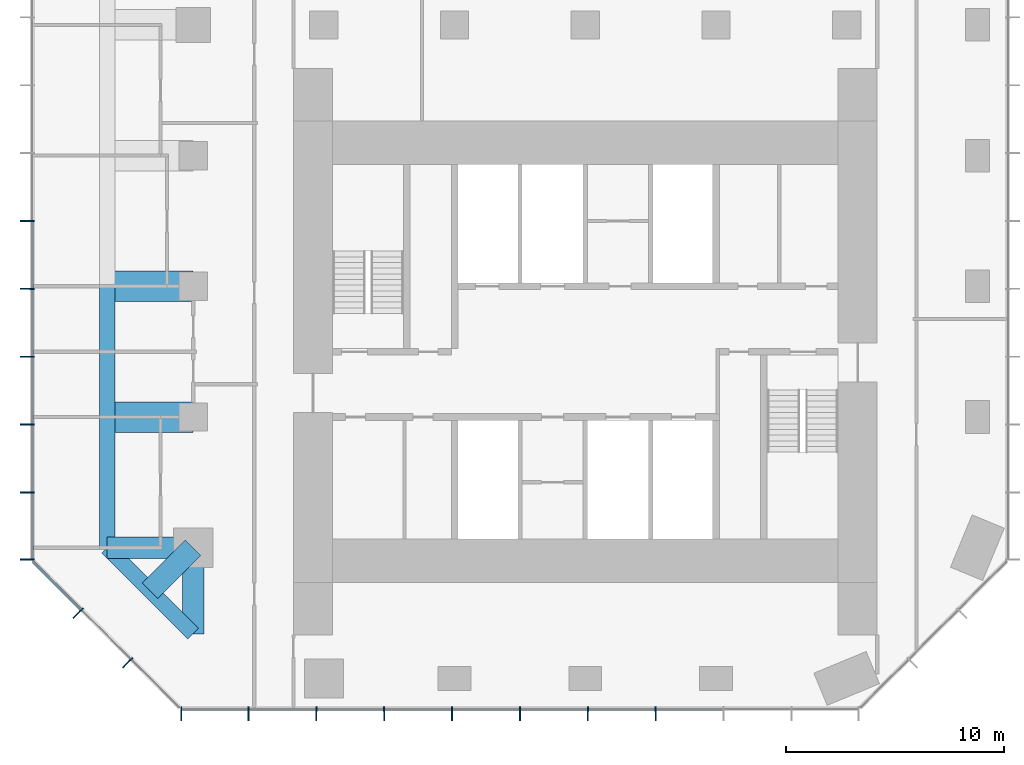
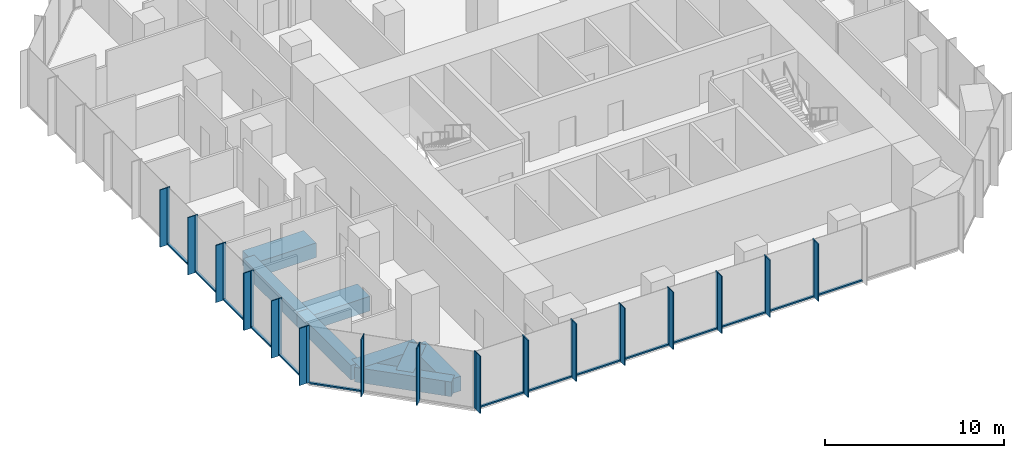
# One storey, part 2 of 11: 46 members, 8 beams, 3 elements without a shape of their own.
"""IFC4 building model written with IfcOpenShell, lengths in metres."""

from ifc_helpers import new_model, si_unit, direction, frame, origin, origin_2d, place, context, subcontext, project, spatial, rectangle, extrude, material, layer, layer_set, material_profile, profile_set, type_object, element, aggregate, save


model = new_model("IFC4")

# Units and contexts
model_context = context("Model", 3, precision=1e-05, world=origin(), true_north=direction((0.0, 1.0)))
body_context = subcontext(model_context, "Body", "Model", "MODEL_VIEW")
ifc_project = project(units=[si_unit("LENGTHUNIT", "METRE"), si_unit("AREAUNIT", "SQUARE_METRE"), si_unit("VOLUMEUNIT", "CUBIC_METRE"), si_unit("PLANEANGLEUNIT", "RADIAN"), si_unit("MASSUNIT", "GRAM", prefix="KILO")], contexts=[model_context])

# Site, building, storey
site_placement = place(None, origin())
site = spatial("IfcSite", under=ifc_project, at=site_placement, CompositionType="ELEMENT")
building_placement = place(site_placement, origin())
building = spatial("IfcBuilding", under=site, at=building_placement, Name="Highveld Stack Headquarters", CompositionType="ELEMENT")
storey_placement = place(building_placement, frame((0.0, 0.0, 200.60009765625)))
storey = spatial("IfcBuildingStorey", under=building, at=storey_placement, Name="L49", CompositionType="ELEMENT", Elevation=200.60009765625)

# Beams
ifc_material_1 = material(Name="Concrete C60/75", Category="concrete")
ifc_material_profile_1 = material_profile(ifc_material_1, rectangle(XDim=1.0, YDim=1.0, at=origin_2d()), Name="RC 1000x1000")
ifc_profile_set_1 = profile_set([ifc_material_profile_1], Name="Concrete C60/75")
beam_type_1 = type_object("IfcBeamType", Name="CANTILEVER RIB RC 1000x1000", PredefinedType="USERDEFINED", material=ifc_profile_set_1)
for number, where, z_axis, x_axis, name in (
    (1, (-12.0, -6.0, -0.75), (-1.0, 0.0, 0.0), (0.0, -1.0, 0.0), "Cantilever rib 4/D L49"),
    (2, (-12.0, -6.0, -0.75), (0.0, -1.0, 0.0), (1.0, 0.0, 0.0), "Cantilever rib 4/D L49"),
):
    element("IfcBeam", number, at=place(storey_placement, frame(where, z_axis=z_axis, x_axis=x_axis)), inside=storey, type_object=beam_type_1, Name=name, ObjectType="CANTILEVER RIB", PredefinedType="USERDEFINED", context=body_context, shape_type="SweptSolid", body=[
        extrude(rectangle(XDim=1.0, YDim=1.0, at=origin_2d()), origin(), (0.0, 0.0, 1.0), 3.949951171875),
    ])
beam_1_placement = place(storey_placement, frame((-12.0, -6.0, -0.75), z_axis=(-0.707106781187, -0.707106781187, 0.0), x_axis=(0.707106781187, -0.707106781187, 0.0)))
element("IfcBeam", 3, at=beam_1_placement, inside=storey, type_object=beam_type_1, Name="Cantilever rib 4/D L49", ObjectType="CANTILEVER RIB", PredefinedType="USERDEFINED", context=body_context, shape_type="SweptSolid", body=[
    extrude(rectangle(XDim=1.0, YDim=1.0, at=origin_2d()), origin(), (0.0, 0.0, 1.0), 2.793212890625),
])
ifc_material_2 = material(Name="Concrete C60/75", Category="concrete")
ifc_material_profile_2 = material_profile(ifc_material_2, rectangle(XDim=1.39990234375, YDim=1.0, at=origin_2d()), Name="RC 1400x1000")
ifc_profile_set_2 = profile_set([ifc_material_profile_2], Name="Concrete C60/75")
beam_type_2 = type_object("IfcBeamType", Name="CANTILEVER RIB RC 1400x1000", PredefinedType="USERDEFINED", material=ifc_profile_set_2)
for number, where, z_axis, x_axis, name in (
    (4, (-12.0, 0.0, -0.75), (-1.0, 0.0, 0.0), (0.0, -1.0, 0.0), "Cantilever rib 4/E L49"),
    (5, (-12.0, 6.0, -0.75), (-1.0, 0.0, 0.0), (0.0, -1.0, 0.0), "Cantilever rib 4/F L49"),
):
    element("IfcBeam", number, at=place(storey_placement, frame(where, z_axis=z_axis, x_axis=x_axis)), inside=storey, type_object=beam_type_2, Name=name, ObjectType="CANTILEVER RIB", PredefinedType="USERDEFINED", context=body_context, shape_type="SweptSolid", body=[
        extrude(rectangle(XDim=1.39990234375, YDim=1.0, at=origin_2d()), origin(), (0.0, 0.0, 1.0), 3.949951171875),
    ])

# Curtain wall, members
ifc_material_3 = material(Name="Aluminium bronze anodised", Category="aluminium")
ifc_layer_1 = layer(ifc_material_3, 0.199951171875)
ifc_layer_set_1 = layer_set([ifc_layer_1], Name="Aluminium bronze anodised")
curtain_wall_type_1 = type_object("IfcCurtainWallType", Name="CW1 TOWER UNITISED CURTAIN WALL", PredefinedType="NOTDEFINED", material=ifc_layer_set_1)
curtain_wall_1_placement = place(storey_placement, origin())
curtain_wall_1 = element("IfcCurtainWall", 6, at=curtain_wall_1_placement, inside=storey, type_object=curtain_wall_type_1, Name="Curtain wall CW1 L49 S", PredefinedType="NOTDEFINED")
ifc_material_4 = material(Name="Aluminium bronze anodised", Category="aluminium")
ifc_material_profile_3 = material_profile(ifc_material_4, rectangle(XDim=0.449951171875, YDim=0.06005859375, at=origin_2d()), Name="FIN 450x60")
ifc_profile_set_3 = profile_set([ifc_material_profile_3], Name="Aluminium bronze anodised")
member_type_1 = type_object("IfcMemberType", Name="CW1 BRONZE FIN 450x60", PredefinedType="USERDEFINED", material=ifc_profile_set_3)
member_1_placement = place(storey_placement, frame((-12.54736328125, -13.72509765625, 0.0), z_axis=(0.0, 0.0, 1.0), x_axis=(0.0, 1.0, 0.0)))
member_1 = element("IfcMember", 7, at=member_1_placement, type_object=member_type_1, Name="CW1 fin L49 1", ObjectType="FIN", PredefinedType="USERDEFINED", context=body_context, shape_type="SweptSolid", body=[
    extrude(rectangle(XDim=0.449951171875, YDim=0.06005859375, at=origin_2d()), origin(), (0.0, 0.0, 1.0), 3.89990234375),
])
member_2_placement = place(storey_placement, frame((-9.4638671875, -13.72509765625, 0.0), z_axis=(0.0, 0.0, 1.0), x_axis=(0.0, 1.0, 0.0)))
member_2 = element("IfcMember", 8, at=member_2_placement, type_object=member_type_1, Name="CW1 fin L49 2", ObjectType="FIN", PredefinedType="USERDEFINED", context=body_context, shape_type="SweptSolid", body=[
    extrude(rectangle(XDim=0.449951171875, YDim=0.06005859375, at=origin_2d()), origin(), (0.0, 0.0, 1.0), 3.89990234375),
])
member_3_placement = place(storey_placement, frame((-6.347900390625, -13.72509765625, 0.0), z_axis=(0.0, 0.0, 1.0), x_axis=(0.0, 1.0, 0.0)))
member_3 = element("IfcMember", 9, at=member_3_placement, type_object=member_type_1, Name="CW1 fin L49 3", ObjectType="FIN", PredefinedType="USERDEFINED", context=body_context, shape_type="SweptSolid", body=[
    extrude(rectangle(XDim=0.449951171875, YDim=0.06005859375, at=origin_2d()), origin(), (0.0, 0.0, 1.0), 3.89990234375),
])
member_4_placement = place(storey_placement, frame((-3.23193359375, -13.72509765625, 0.0), z_axis=(0.0, 0.0, 1.0), x_axis=(0.0, 1.0, 0.0)))
member_4 = element("IfcMember", 10, at=member_4_placement, type_object=member_type_1, Name="CW1 fin L49 4", ObjectType="FIN", PredefinedType="USERDEFINED", context=body_context, shape_type="SweptSolid", body=[
    extrude(rectangle(XDim=0.449951171875, YDim=0.06005859375, at=origin_2d()), origin(), (0.0, 0.0, 1.0), 3.89990234375),
])
member_5_placement = place(storey_placement, frame((-0.115966796875, -13.72509765625, 0.0), z_axis=(0.0, 0.0, 1.0), x_axis=(0.0, 1.0, 0.0)))
member_5 = element("IfcMember", 11, at=member_5_placement, type_object=member_type_1, Name="CW1 fin L49 5", ObjectType="FIN", PredefinedType="USERDEFINED", context=body_context, shape_type="SweptSolid", body=[
    extrude(rectangle(XDim=0.449951171875, YDim=0.06005859375, at=origin_2d()), origin(), (0.0, 0.0, 1.0), 3.89990234375),
])
member_6_placement = place(storey_placement, frame((3.0, -13.72509765625, 0.0), z_axis=(0.0, 0.0, 1.0), x_axis=(0.0, 1.0, 0.0)))
member_6 = element("IfcMember", 12, at=member_6_placement, type_object=member_type_1, Name="CW1 fin L49 6", ObjectType="FIN", PredefinedType="USERDEFINED", context=body_context, shape_type="SweptSolid", body=[
    extrude(rectangle(XDim=0.449951171875, YDim=0.06005859375, at=origin_2d()), origin(), (0.0, 0.0, 1.0), 3.89990234375),
])
member_7_placement = place(storey_placement, frame((6.115966796875, -13.72509765625, 0.0), z_axis=(0.0, 0.0, 1.0), x_axis=(0.0, 1.0, 0.0)))
member_7 = element("IfcMember", 13, at=member_7_placement, type_object=member_type_1, Name="CW1 fin L49 7", ObjectType="FIN", PredefinedType="USERDEFINED", context=body_context, shape_type="SweptSolid", body=[
    extrude(rectangle(XDim=0.449951171875, YDim=0.06005859375, at=origin_2d()), origin(), (0.0, 0.0, 1.0), 3.89990234375),
])
member_8_placement = place(storey_placement, frame((9.23193359375, -13.72509765625, 0.0), z_axis=(0.0, 0.0, 1.0), x_axis=(0.0, 1.0, 0.0)))
member_8 = element("IfcMember", 14, at=member_8_placement, type_object=member_type_1, Name="CW1 fin L49 8", ObjectType="FIN", PredefinedType="USERDEFINED", context=body_context, shape_type="SweptSolid", body=[
    extrude(rectangle(XDim=0.449951171875, YDim=0.06005859375, at=origin_2d()), origin(), (0.0, 0.0, 1.0), 3.89990234375),
])

curtain_wall_2_placement = place(storey_placement, origin())
curtain_wall_2 = element("IfcCurtainWall", 15, at=curtain_wall_2_placement, inside=storey, type_object=curtain_wall_type_1, Name="Curtain wall CW1 L49 W", PredefinedType="NOTDEFINED")
member_9_placement = place(storey_placement, frame((-19.72509765625, 9.0, 0.0), z_axis=(0.0, 0.0, 1.0), x_axis=(1.0, 0.0, 0.0)))
member_9 = element("IfcMember", 16, at=member_9_placement, type_object=member_type_1, Name="CW1 fin L49 6", ObjectType="FIN", PredefinedType="USERDEFINED", context=body_context, shape_type="SweptSolid", body=[
    extrude(rectangle(XDim=0.449951171875, YDim=0.06005859375, at=origin_2d()), origin(), (0.0, 0.0, 1.0), 3.89990234375),
])
member_10_placement = place(storey_placement, frame((-19.72509765625, 5.884033203125, 0.0), z_axis=(0.0, 0.0, 1.0), x_axis=(1.0, 0.0, 0.0)))
member_10 = element("IfcMember", 17, at=member_10_placement, type_object=member_type_1, Name="CW1 fin L49 7", ObjectType="FIN", PredefinedType="USERDEFINED", context=body_context, shape_type="SweptSolid", body=[
    extrude(rectangle(XDim=0.449951171875, YDim=0.06005859375, at=origin_2d()), origin(), (0.0, 0.0, 1.0), 3.89990234375),
])
member_11_placement = place(storey_placement, frame((-19.72509765625, 2.76806640625, 0.0), z_axis=(0.0, 0.0, 1.0), x_axis=(1.0, 0.0, 0.0)))
member_11 = element("IfcMember", 18, at=member_11_placement, type_object=member_type_1, Name="CW1 fin L49 8", ObjectType="FIN", PredefinedType="USERDEFINED", context=body_context, shape_type="SweptSolid", body=[
    extrude(rectangle(XDim=0.449951171875, YDim=0.06005859375, at=origin_2d()), origin(), (0.0, 0.0, 1.0), 3.89990234375),
])
member_12_placement = place(storey_placement, frame((-19.72509765625, -0.347900390625, 0.0), z_axis=(0.0, 0.0, 1.0), x_axis=(1.0, 0.0, 0.0)))
member_12 = element("IfcMember", 19, at=member_12_placement, type_object=member_type_1, Name="CW1 fin L49 9", ObjectType="FIN", PredefinedType="USERDEFINED", context=body_context, shape_type="SweptSolid", body=[
    extrude(rectangle(XDim=0.449951171875, YDim=0.06005859375, at=origin_2d()), origin(), (0.0, 0.0, 1.0), 3.89990234375),
])
member_13_placement = place(storey_placement, frame((-19.72509765625, -3.4638671875, 0.0), z_axis=(0.0, 0.0, 1.0), x_axis=(1.0, 0.0, 0.0)))
member_13 = element("IfcMember", 20, at=member_13_placement, type_object=member_type_1, Name="CW1 fin L49 10", ObjectType="FIN", PredefinedType="USERDEFINED", context=body_context, shape_type="SweptSolid", body=[
    extrude(rectangle(XDim=0.449951171875, YDim=0.06005859375, at=origin_2d()), origin(), (0.0, 0.0, 1.0), 3.89990234375),
])
member_14_placement = place(storey_placement, frame((-19.72509765625, -6.54736328125, 0.0), z_axis=(0.0, 0.0, 1.0), x_axis=(1.0, 0.0, 0.0)))
member_14 = element("IfcMember", 21, at=member_14_placement, type_object=member_type_1, Name="CW1 fin L49 11", ObjectType="FIN", PredefinedType="USERDEFINED", context=body_context, shape_type="SweptSolid", body=[
    extrude(rectangle(XDim=0.449951171875, YDim=0.06005859375, at=origin_2d()), origin(), (0.0, 0.0, 1.0), 3.89990234375),
])

# Member
ifc_material_5 = material(Name="Aluminium bronze anodised", Category="aluminium")
ifc_material_profile_4 = material_profile(ifc_material_5, rectangle(XDim=0.199951171875, YDim=0.06494140625, at=origin_2d()), Name="CW1 MULLION 65x200")
ifc_profile_set_4 = profile_set([ifc_material_profile_4], Name="Aluminium bronze anodised")
member_type_2 = type_object("IfcMemberType", Name="CW1 MULLION 65x200", PredefinedType="MULLION", material=ifc_profile_set_4)
member_15_placement = place(storey_placement, frame((-12.54736328125, -13.39990234375, 0.0), z_axis=(0.0, 0.0, 1.0), x_axis=(0.0, 1.0, 0.0)))
member_15 = element("IfcMember", 22, at=member_15_placement, type_object=member_type_2, Name="CW1 mullion L49 1", PredefinedType="MULLION", context=body_context, shape_type="SweptSolid", body=[
    extrude(rectangle(XDim=0.199951171875, YDim=0.06494140625, at=origin_2d()), origin(), (0.0, 0.0, 1.0), 3.89990234375),
])

member_16_placement = place(storey_placement, frame((-9.4638671875, -13.39990234375, 0.0), z_axis=(0.0, 0.0, 1.0), x_axis=(0.0, 1.0, 0.0)))
member_16 = element("IfcMember", 23, at=member_16_placement, type_object=member_type_2, Name="CW1 mullion L49 2", PredefinedType="MULLION", context=body_context, shape_type="SweptSolid", body=[
    extrude(rectangle(XDim=0.199951171875, YDim=0.06494140625, at=origin_2d()), origin(), (0.0, 0.0, 1.0), 3.89990234375),
])

member_17_placement = place(storey_placement, frame((-6.347900390625, -13.39990234375, 0.0), z_axis=(0.0, 0.0, 1.0), x_axis=(0.0, 1.0, 0.0)))
member_17 = element("IfcMember", 24, at=member_17_placement, type_object=member_type_2, Name="CW1 mullion L49 3", PredefinedType="MULLION", context=body_context, shape_type="SweptSolid", body=[
    extrude(rectangle(XDim=0.199951171875, YDim=0.06494140625, at=origin_2d()), origin(), (0.0, 0.0, 1.0), 3.89990234375),
])

member_18_placement = place(storey_placement, frame((-3.23193359375, -13.39990234375, 0.0), z_axis=(0.0, 0.0, 1.0), x_axis=(0.0, 1.0, 0.0)))
member_18 = element("IfcMember", 25, at=member_18_placement, type_object=member_type_2, Name="CW1 mullion L49 4", PredefinedType="MULLION", context=body_context, shape_type="SweptSolid", body=[
    extrude(rectangle(XDim=0.199951171875, YDim=0.06494140625, at=origin_2d()), origin(), (0.0, 0.0, 1.0), 3.89990234375),
])

member_19_placement = place(storey_placement, frame((-0.115966796875, -13.39990234375, 0.0), z_axis=(0.0, 0.0, 1.0), x_axis=(0.0, 1.0, 0.0)))
member_19 = element("IfcMember", 26, at=member_19_placement, type_object=member_type_2, Name="CW1 mullion L49 5", PredefinedType="MULLION", context=body_context, shape_type="SweptSolid", body=[
    extrude(rectangle(XDim=0.199951171875, YDim=0.06494140625, at=origin_2d()), origin(), (0.0, 0.0, 1.0), 3.89990234375),
])

member_20_placement = place(storey_placement, frame((3.0, -13.39990234375, 0.0), z_axis=(0.0, 0.0, 1.0), x_axis=(0.0, 1.0, 0.0)))
member_20 = element("IfcMember", 27, at=member_20_placement, type_object=member_type_2, Name="CW1 mullion L49 6", PredefinedType="MULLION", context=body_context, shape_type="SweptSolid", body=[
    extrude(rectangle(XDim=0.199951171875, YDim=0.06494140625, at=origin_2d()), origin(), (0.0, 0.0, 1.0), 3.89990234375),
])

member_21_placement = place(storey_placement, frame((6.115966796875, -13.39990234375, 0.0), z_axis=(0.0, 0.0, 1.0), x_axis=(0.0, 1.0, 0.0)))
member_21 = element("IfcMember", 28, at=member_21_placement, type_object=member_type_2, Name="CW1 mullion L49 7", PredefinedType="MULLION", context=body_context, shape_type="SweptSolid", body=[
    extrude(rectangle(XDim=0.199951171875, YDim=0.06494140625, at=origin_2d()), origin(), (0.0, 0.0, 1.0), 3.89990234375),
])

member_22_placement = place(storey_placement, frame((9.23193359375, -13.39990234375, 0.0), z_axis=(0.0, 0.0, 1.0), x_axis=(0.0, 1.0, 0.0)))
member_22 = element("IfcMember", 29, at=member_22_placement, type_object=member_type_2, Name="CW1 mullion L49 8", PredefinedType="MULLION", context=body_context, shape_type="SweptSolid", body=[
    extrude(rectangle(XDim=0.199951171875, YDim=0.06494140625, at=origin_2d()), origin(), (0.0, 0.0, 1.0), 3.89990234375),
])

member_23_placement = place(storey_placement, frame((-19.39990234375, 9.0, 0.0), z_axis=(0.0, 0.0, 1.0), x_axis=(1.0, 0.0, 0.0)))
member_23 = element("IfcMember", 30, at=member_23_placement, type_object=member_type_2, Name="CW1 mullion L49 6", PredefinedType="MULLION", context=body_context, shape_type="SweptSolid", body=[
    extrude(rectangle(XDim=0.199951171875, YDim=0.06494140625, at=origin_2d()), origin(), (0.0, 0.0, 1.0), 3.89990234375),
])

member_24_placement = place(storey_placement, frame((-19.39990234375, 5.884033203125, 0.0), z_axis=(0.0, 0.0, 1.0), x_axis=(1.0, 0.0, 0.0)))
member_24 = element("IfcMember", 31, at=member_24_placement, type_object=member_type_2, Name="CW1 mullion L49 7", PredefinedType="MULLION", context=body_context, shape_type="SweptSolid", body=[
    extrude(rectangle(XDim=0.199951171875, YDim=0.06494140625, at=origin_2d()), origin(), (0.0, 0.0, 1.0), 3.89990234375),
])

member_25_placement = place(storey_placement, frame((-19.39990234375, 2.76806640625, 0.0), z_axis=(0.0, 0.0, 1.0), x_axis=(1.0, 0.0, 0.0)))
member_25 = element("IfcMember", 32, at=member_25_placement, type_object=member_type_2, Name="CW1 mullion L49 8", PredefinedType="MULLION", context=body_context, shape_type="SweptSolid", body=[
    extrude(rectangle(XDim=0.199951171875, YDim=0.06494140625, at=origin_2d()), origin(), (0.0, 0.0, 1.0), 3.89990234375),
])

member_26_placement = place(storey_placement, frame((-19.39990234375, -0.347900390625, 0.0), z_axis=(0.0, 0.0, 1.0), x_axis=(1.0, 0.0, 0.0)))
member_26 = element("IfcMember", 33, at=member_26_placement, type_object=member_type_2, Name="CW1 mullion L49 9", PredefinedType="MULLION", context=body_context, shape_type="SweptSolid", body=[
    extrude(rectangle(XDim=0.199951171875, YDim=0.06494140625, at=origin_2d()), origin(), (0.0, 0.0, 1.0), 3.89990234375),
])

member_27_placement = place(storey_placement, frame((-19.39990234375, -3.4638671875, 0.0), z_axis=(0.0, 0.0, 1.0), x_axis=(1.0, 0.0, 0.0)))
member_27 = element("IfcMember", 34, at=member_27_placement, type_object=member_type_2, Name="CW1 mullion L49 10", PredefinedType="MULLION", context=body_context, shape_type="SweptSolid", body=[
    extrude(rectangle(XDim=0.199951171875, YDim=0.06494140625, at=origin_2d()), origin(), (0.0, 0.0, 1.0), 3.89990234375),
])

member_28_placement = place(storey_placement, frame((-19.39990234375, -6.54736328125, 0.0), z_axis=(0.0, 0.0, 1.0), x_axis=(1.0, 0.0, 0.0)))
member_28 = element("IfcMember", 35, at=member_28_placement, type_object=member_type_2, Name="CW1 mullion L49 11", PredefinedType="MULLION", context=body_context, shape_type="SweptSolid", body=[
    extrude(rectangle(XDim=0.199951171875, YDim=0.06494140625, at=origin_2d()), origin(), (0.0, 0.0, 1.0), 3.89990234375),
])

ifc_material_6 = material(Name="Aluminium bronze anodised", Category="aluminium")
ifc_material_profile_5 = material_profile(ifc_material_6, rectangle(XDim=0.14990234375, YDim=0.10009765625, at=origin_2d()), Name="CW1 TRANSOM 150x100")
ifc_profile_set_5 = profile_set([ifc_material_profile_5], Name="Aluminium bronze anodised")
member_type_3 = type_object("IfcMemberType", Name="CW1 STACK TRANSOM 150x100", PredefinedType="USERDEFINED", material=ifc_profile_set_5)
member_29_placement = place(storey_placement, frame((-12.514892578125, -13.39990234375, 0.0498046875), z_axis=(1.0, 0.0, 0.0), x_axis=(0.0, 1.0, 0.0)))
member_29 = element("IfcMember", 36, at=member_29_placement, type_object=member_type_3, Name="CW1 transom L49 1.1", ObjectType="TRANSOM", PredefinedType="USERDEFINED", context=body_context, shape_type="SweptSolid", body=[
    extrude(rectangle(XDim=0.14990234375, YDim=0.10009765625, at=origin_2d()), origin(), (0.0, 0.0, 1.0), 3.0185546875),
])

member_30_placement = place(storey_placement, frame((-9.431396484375, -13.39990234375, 0.0498046875), z_axis=(1.0, 0.0, 0.0), x_axis=(0.0, 1.0, 0.0)))
member_30 = element("IfcMember", 37, at=member_30_placement, type_object=member_type_3, Name="CW1 transom L49 2.1", ObjectType="TRANSOM", PredefinedType="USERDEFINED", context=body_context, shape_type="SweptSolid", body=[
    extrude(rectangle(XDim=0.14990234375, YDim=0.10009765625, at=origin_2d()), origin(), (0.0, 0.0, 1.0), 3.051025390625),
])

member_31_placement = place(storey_placement, frame((-6.3154296875, -13.39990234375, 0.0498046875), z_axis=(1.0, 0.0, 0.0), x_axis=(0.0, 1.0, 0.0)))
member_31 = element("IfcMember", 38, at=member_31_placement, type_object=member_type_3, Name="CW1 transom L49 3.1", ObjectType="TRANSOM", PredefinedType="USERDEFINED", context=body_context, shape_type="SweptSolid", body=[
    extrude(rectangle(XDim=0.14990234375, YDim=0.10009765625, at=origin_2d()), origin(), (0.0, 0.0, 1.0), 3.051025390625),
])

member_32_placement = place(storey_placement, frame((-3.199462890625, -13.39990234375, 0.0498046875), z_axis=(1.0, 0.0, 0.0), x_axis=(0.0, 1.0, 0.0)))
member_32 = element("IfcMember", 39, at=member_32_placement, type_object=member_type_3, Name="CW1 transom L49 4.1", ObjectType="TRANSOM", PredefinedType="USERDEFINED", context=body_context, shape_type="SweptSolid", body=[
    extrude(rectangle(XDim=0.14990234375, YDim=0.10009765625, at=origin_2d()), origin(), (0.0, 0.0, 1.0), 3.051025390625),
])

member_33_placement = place(storey_placement, frame((-0.08349609375, -13.39990234375, 0.0498046875), z_axis=(1.0, 0.0, 0.0), x_axis=(0.0, 1.0, 0.0)))
member_33 = element("IfcMember", 40, at=member_33_placement, type_object=member_type_3, Name="CW1 transom L49 5.1", ObjectType="TRANSOM", PredefinedType="USERDEFINED", context=body_context, shape_type="SweptSolid", body=[
    extrude(rectangle(XDim=0.14990234375, YDim=0.10009765625, at=origin_2d()), origin(), (0.0, 0.0, 1.0), 3.051025390625),
])

member_34_placement = place(storey_placement, frame((3.032470703125, -13.39990234375, 0.0498046875), z_axis=(1.0, 0.0, 0.0), x_axis=(0.0, 1.0, 0.0)))
member_34 = element("IfcMember", 41, at=member_34_placement, type_object=member_type_3, Name="CW1 transom L49 6.1", ObjectType="TRANSOM", PredefinedType="USERDEFINED", context=body_context, shape_type="SweptSolid", body=[
    extrude(rectangle(XDim=0.14990234375, YDim=0.10009765625, at=origin_2d()), origin(), (0.0, 0.0, 1.0), 3.051025390625),
])

member_35_placement = place(storey_placement, frame((6.1484375, -13.39990234375, 0.0498046875), z_axis=(1.0, 0.0, 0.0), x_axis=(0.0, 1.0, 0.0)))
member_35 = element("IfcMember", 42, at=member_35_placement, type_object=member_type_3, Name="CW1 transom L49 7.1", ObjectType="TRANSOM", PredefinedType="USERDEFINED", context=body_context, shape_type="SweptSolid", body=[
    extrude(rectangle(XDim=0.14990234375, YDim=0.10009765625, at=origin_2d()), origin(), (0.0, 0.0, 1.0), 3.051025390625),
])

member_36_placement = place(storey_placement, frame((9.264404296875, -13.39990234375, 0.0498046875), z_axis=(1.0, 0.0, 0.0), x_axis=(0.0, 1.0, 0.0)))
member_36 = element("IfcMember", 43, at=member_36_placement, type_object=member_type_3, Name="CW1 transom L49 8.1", ObjectType="TRANSOM", PredefinedType="USERDEFINED", context=body_context, shape_type="SweptSolid", body=[
    extrude(rectangle(XDim=0.14990234375, YDim=0.10009765625, at=origin_2d()), origin(), (0.0, 0.0, 1.0), 3.051025390625),
])

aggregate(curtain_wall_1, [member_15, member_1, member_16, member_2, member_17, member_3, member_18, member_4, member_19, member_5, member_20, member_6, member_21, member_7, member_22, member_8, member_29, member_30, member_31, member_32, member_33, member_34, member_35, member_36])

member_37_placement = place(storey_placement, frame((-19.39990234375, 8.967529296875, 0.0498046875), z_axis=(0.0, -1.0, 0.0), x_axis=(1.0, 0.0, 0.0)))
member_37 = element("IfcMember", 44, at=member_37_placement, type_object=member_type_3, Name="CW1 transom L49 6.1", ObjectType="TRANSOM", PredefinedType="USERDEFINED", context=body_context, shape_type="SweptSolid", body=[
    extrude(rectangle(XDim=0.14990234375, YDim=0.10009765625, at=origin_2d()), origin(), (0.0, 0.0, 1.0), 3.051025390625),
])

member_38_placement = place(storey_placement, frame((-19.39990234375, 5.8515625, 0.0498046875), z_axis=(0.0, -1.0, 0.0), x_axis=(1.0, 0.0, 0.0)))
member_38 = element("IfcMember", 45, at=member_38_placement, type_object=member_type_3, Name="CW1 transom L49 7.1", ObjectType="TRANSOM", PredefinedType="USERDEFINED", context=body_context, shape_type="SweptSolid", body=[
    extrude(rectangle(XDim=0.14990234375, YDim=0.10009765625, at=origin_2d()), origin(), (0.0, 0.0, 1.0), 3.051025390625),
])

member_39_placement = place(storey_placement, frame((-19.39990234375, 2.735595703125, 0.0498046875), z_axis=(0.0, -1.0, 0.0), x_axis=(1.0, 0.0, 0.0)))
member_39 = element("IfcMember", 46, at=member_39_placement, type_object=member_type_3, Name="CW1 transom L49 8.1", ObjectType="TRANSOM", PredefinedType="USERDEFINED", context=body_context, shape_type="SweptSolid", body=[
    extrude(rectangle(XDim=0.14990234375, YDim=0.10009765625, at=origin_2d()), origin(), (0.0, 0.0, 1.0), 3.051025390625),
])

member_40_placement = place(storey_placement, frame((-19.39990234375, -0.38037109375, 0.0498046875), z_axis=(0.0, -1.0, 0.0), x_axis=(1.0, 0.0, 0.0)))
member_40 = element("IfcMember", 47, at=member_40_placement, type_object=member_type_3, Name="CW1 transom L49 9.1", ObjectType="TRANSOM", PredefinedType="USERDEFINED", context=body_context, shape_type="SweptSolid", body=[
    extrude(rectangle(XDim=0.14990234375, YDim=0.10009765625, at=origin_2d()), origin(), (0.0, 0.0, 1.0), 3.051025390625),
])

member_41_placement = place(storey_placement, frame((-19.39990234375, -3.496337890625, 0.0498046875), z_axis=(0.0, -1.0, 0.0), x_axis=(1.0, 0.0, 0.0)))
member_41 = element("IfcMember", 48, at=member_41_placement, type_object=member_type_3, Name="CW1 transom L49 10.1", ObjectType="TRANSOM", PredefinedType="USERDEFINED", context=body_context, shape_type="SweptSolid", body=[
    extrude(rectangle(XDim=0.14990234375, YDim=0.10009765625, at=origin_2d()), origin(), (0.0, 0.0, 1.0), 3.0185546875),
])

aggregate(curtain_wall_2, [member_23, member_9, member_24, member_10, member_25, member_11, member_26, member_12, member_27, member_13, member_28, member_14, member_37, member_38, member_39, member_40, member_41])

# Curtain wall, members
ifc_material_7 = material(Name="Aluminium bronze anodised", Category="aluminium")
ifc_layer_2 = layer(ifc_material_7, 0.199951171875)
ifc_layer_set_2 = layer_set([ifc_layer_2], Name="Aluminium bronze anodised")
curtain_wall_type_2 = type_object("IfcCurtainWallType", Name="CW2 TOWER CHAMFER UNITISED CURTAIN WALL", PredefinedType="NOTDEFINED", material=ifc_layer_set_2)
curtain_wall_3_placement = place(storey_placement, origin())
curtain_wall_3 = element("IfcCurtainWall", 49, at=curtain_wall_3_placement, inside=storey, type_object=curtain_wall_type_2, Name="Curtain wall CW2 L49 SW", PredefinedType="NOTDEFINED")
ifc_material_8 = material(Name="Aluminium bronze anodised", Category="aluminium")
ifc_material_profile_6 = material_profile(ifc_material_8, rectangle(XDim=0.449951171875, YDim=0.06005859375, at=origin_2d()), Name="FIN 450x60")
ifc_profile_set_6 = profile_set([ifc_material_profile_6], Name="Aluminium bronze anodised")
member_type_4 = type_object("IfcMemberType", Name="CW2 BRONZE FIN 450x60", PredefinedType="USERDEFINED", material=ifc_profile_set_6)
member_42_placement = place(storey_placement, frame((-17.3564453125, -9.0830078125, 0.0), z_axis=(0.0, 0.0, 1.0), x_axis=(0.707106781187, 0.707106781187, 0.0)))
member_42 = element("IfcMember", 50, at=member_42_placement, type_object=member_type_4, Name="CW2 fin L49 1", ObjectType="FIN", PredefinedType="USERDEFINED", context=body_context, shape_type="SweptSolid", body=[
    extrude(rectangle(XDim=0.449951171875, YDim=0.06005859375, at=origin_2d()), origin(), (0.0, 0.0, 1.0), 3.89990234375),
])
member_43_placement = place(storey_placement, frame((-15.0830078125, -11.3564453125, 0.0), z_axis=(0.0, 0.0, 1.0), x_axis=(0.707106781187, 0.707106781187, 0.0)))
member_43 = element("IfcMember", 51, at=member_43_placement, type_object=member_type_4, Name="CW2 fin L49 2", ObjectType="FIN", PredefinedType="USERDEFINED", context=body_context, shape_type="SweptSolid", body=[
    extrude(rectangle(XDim=0.449951171875, YDim=0.06005859375, at=origin_2d()), origin(), (0.0, 0.0, 1.0), 3.89990234375),
])
ifc_material_9 = material(Name="Aluminium bronze anodised", Category="aluminium")
ifc_material_profile_7 = material_profile(ifc_material_9, rectangle(XDim=0.199951171875, YDim=0.06494140625, at=origin_2d()), Name="CW2 MULLION 65x200")
ifc_profile_set_7 = profile_set([ifc_material_profile_7], Name="Aluminium bronze anodised")
member_type_5 = type_object("IfcMemberType", Name="CW2 MULLION 65x200", PredefinedType="MULLION", material=ifc_profile_set_7)
member_44_placement = place(storey_placement, frame((-17.126708984375, -8.853271484375, 0.0), z_axis=(0.0, 0.0, 1.0), x_axis=(0.707106781187, 0.707106781187, 0.0)))
member_44 = element("IfcMember", 52, at=member_44_placement, type_object=member_type_5, Name="CW2 mullion L49 1", PredefinedType="MULLION", context=body_context, shape_type="SweptSolid", body=[
    extrude(rectangle(XDim=0.199951171875, YDim=0.06494140625, at=origin_2d()), origin(), (0.0, 0.0, 1.0), 3.89990234375),
])
member_45_placement = place(storey_placement, frame((-14.853271484375, -11.126708984375, 0.0), z_axis=(0.0, 0.0, 1.0), x_axis=(0.707106781187, 0.707106781187, 0.0)))
member_45 = element("IfcMember", 53, at=member_45_placement, type_object=member_type_5, Name="CW2 mullion L49 2", PredefinedType="MULLION", context=body_context, shape_type="SweptSolid", body=[
    extrude(rectangle(XDim=0.199951171875, YDim=0.06494140625, at=origin_2d()), origin(), (0.0, 0.0, 1.0), 3.89990234375),
])
ifc_material_10 = material(Name="Aluminium bronze anodised", Category="aluminium")
ifc_material_profile_8 = material_profile(ifc_material_10, rectangle(XDim=0.14990234375, YDim=0.10009765625, at=origin_2d()), Name="CW2 TRANSOM 150x100")
ifc_profile_set_8 = profile_set([ifc_material_profile_8], Name="Aluminium bronze anodised")
member_type_6 = type_object("IfcMemberType", Name="CW2 STACK TRANSOM 150x100", PredefinedType="USERDEFINED", material=ifc_profile_set_8)
member_46_placement = place(storey_placement, frame((-19.329345703125, -6.650634765625, 0.0498046875), z_axis=(0.707106781187, -0.707106781187, 0.0), x_axis=(0.707106781187, 0.707106781187, 0.0)))
member_46 = element("IfcMember", 54, at=member_46_placement, type_object=member_type_6, Name="CW2 transom L49 1.1", ObjectType="TRANSOM", PredefinedType="USERDEFINED", context=body_context, shape_type="SweptSolid", body=[
    extrude(rectangle(XDim=0.14990234375, YDim=0.10009765625, at=origin_2d()), origin(), (0.0, 0.0, 1.0), 3.08251953125),
])
aggregate(curtain_wall_3, [member_44, member_42, member_45, member_43, member_46])

# Beams
ifc_material_11 = material(Name="Concrete C60/75", Category="concrete")
ifc_material_profile_9 = material_profile(ifc_material_11, rectangle(XDim=0.699951171875, YDim=1.0, at=origin_2d()), Name="RC 700x1000")
ifc_profile_set_9 = profile_set([ifc_material_profile_9], Name="Concrete C60/75")
beam_type_3 = type_object("IfcBeamType", Name="RIB TIP BEAM RC 700x1000", PredefinedType="SPANDREL", material=ifc_profile_set_9)
for number, where, z_axis, x_axis, name in (
    (55, (-15.949951171875, -6.0, -0.75), (0.0, 1.0, 0.0), (-1.0, 0.0, 0.0), "Rib tip beam 4/D to 4/E L49"),
    (56, (-15.949951171875, 0.0, -0.75), (0.0, 1.0, 0.0), (-1.0, 0.0, 0.0), "Rib tip beam 4/E to 4/F L49"),
):
    element("IfcBeam", number, at=place(storey_placement, frame(where, z_axis=z_axis, x_axis=x_axis)), inside=storey, type_object=beam_type_3, Name=name, PredefinedType="SPANDREL", context=body_context, shape_type="SweptSolid", body=[
        extrude(rectangle(XDim=0.699951171875, YDim=1.0, at=origin_2d()), origin(), (0.0, 0.0, 1.0), 6.0),
    ])
beam_2_placement = place(storey_placement, frame((-15.949951171875, -6.0, -0.75), z_axis=(0.707106781187, -0.707106781187, 0.0), x_axis=(0.707106781187, 0.707106781187, 0.0)))
element("IfcBeam", 57, at=beam_2_placement, inside=storey, type_object=beam_type_3, Name="Rib tip beam 4/D corner L49", PredefinedType="SPANDREL", context=body_context, shape_type="SweptSolid", body=[
    extrude(rectangle(XDim=0.699951171875, YDim=1.0, at=origin_2d()), origin(), (0.0, 0.0, 1.0), 5.586181640625),
])

save(model, "model.ifc")
